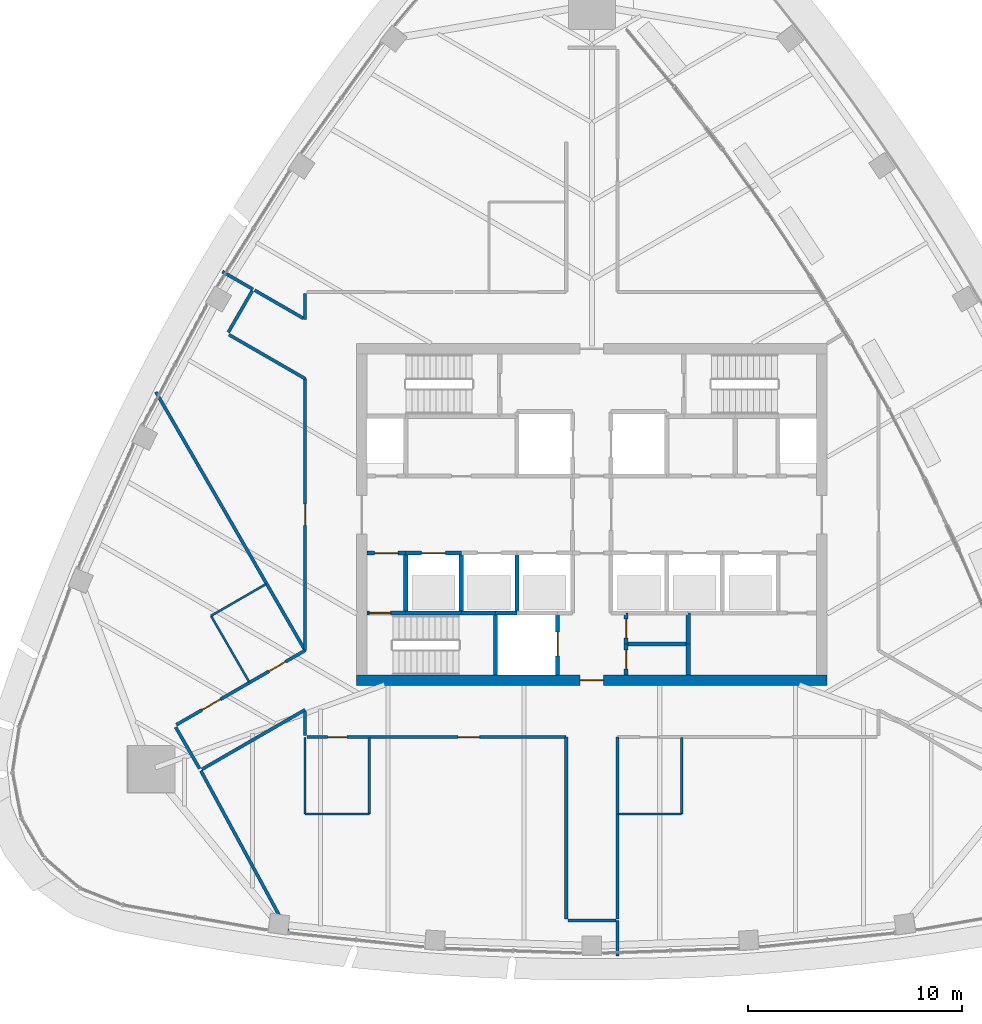
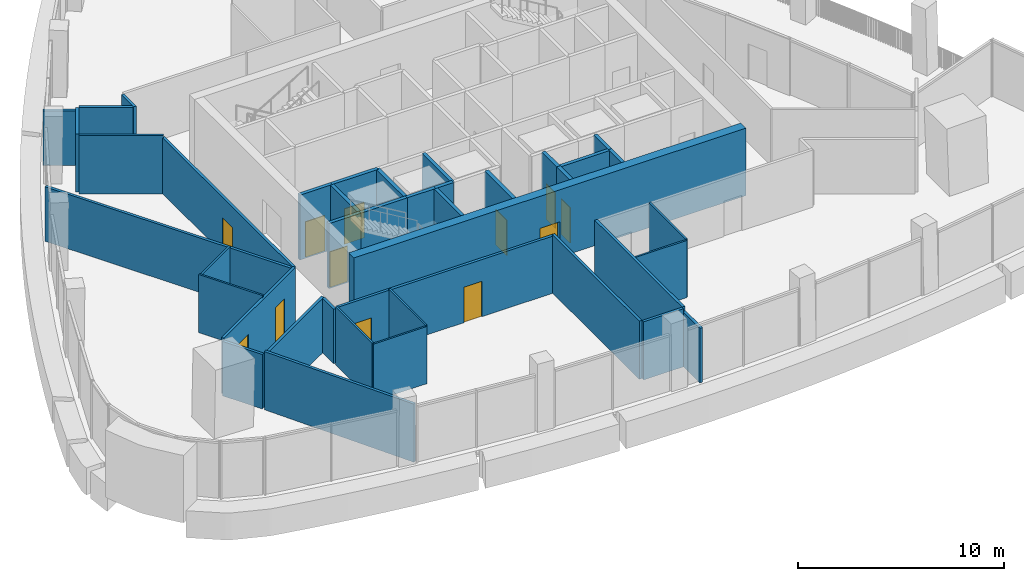
# One storey, part 10 of 18: 41 walls, 12 doors, 12 openings.
"""IFC4 building model written with IfcOpenShell, lengths in metres."""

from ifc_helpers import new_model, si_unit, direction, frame, frame_2d, origin, place, context, subcontext, project, spatial, rectangle, extrude, material, layer, layer_set, type_object, element, fill, save


model = new_model("IFC4")

# Units and contexts
model_context = context("Model", 3, precision=1e-05, world=origin(), true_north=direction((0.0, 1.0)))
body_context = subcontext(model_context, "Body", "Model", "MODEL_VIEW")
ifc_project = project(units=[si_unit("LENGTHUNIT", "METRE"), si_unit("AREAUNIT", "SQUARE_METRE"), si_unit("VOLUMEUNIT", "CUBIC_METRE"), si_unit("PLANEANGLEUNIT", "RADIAN"), si_unit("MASSUNIT", "GRAM", prefix="KILO")], contexts=[model_context])

# Site, building, storey
site_placement = place(None, origin())
site = spatial("IfcSite", under=ifc_project, at=site_placement, CompositionType="ELEMENT")
building_placement = place(site_placement, origin())
building = spatial("IfcBuilding", under=site, at=building_placement, Name="Sierra Prisma Convention Tower", CompositionType="ELEMENT")
storey_placement = place(building_placement, frame((0.0, 0.0, 291.0)))
storey = spatial("IfcBuildingStorey", under=building, at=storey_placement, Name="L66", CompositionType="ELEMENT", Elevation=291.0)

# Walls
ifc_material_1 = material(Name="Gypsum board partition", Category="gypsum")
ifc_layer_1 = layer(ifc_material_1, 0.10009765625)
ifc_layer_set_1 = layer_set([ifc_layer_1], Name="Bathroom partition 100")
wall_type_1 = type_object("IfcWallType", Name="Bathroom partition 100", PredefinedType="PARTITIONING", material=ifc_layer_set_1)
wall_1_placement = place(storey_placement, frame((-16.01318359375, -7.824951171875, 0.0), z_axis=(0.0, 0.0, 1.0), x_axis=(-0.499971082179, 0.866042098853, 0.0)))
element("IfcWall", 1, at=wall_1_placement, inside=storey, type_object=wall_type_1, Name="Partition L66 bath 1", PredefinedType="PARTITIONING", context=body_context, shape_type="SweptSolid", body=[
    extrude(rectangle(XDim=3.570068359375, YDim=0.10009765625, at=frame_2d((1.78515625, 0.0))), origin(), (0.0, 0.0, 1.0), 3.449951171875),
])
wall_2_placement = place(storey_placement, frame((-17.798095703125, -4.733154296875, 0.0), z_axis=(0.0, 0.0, 1.0), x_axis=(0.866039111053, 0.499976257563, 0.0)))
element("IfcWall", 2, at=wall_2_placement, inside=storey, type_object=wall_type_1, Name="Partition L66 bath 2", PredefinedType="PARTITIONING", context=body_context, shape_type="SweptSolid", body=[
    extrude(rectangle(XDim=2.969970703125, YDim=0.10009765625, at=frame_2d((1.48486328125, 0.0))), origin(), (0.0, 0.0, 1.0), 3.31689453125),
])
wall_3_placement = place(storey_placement, frame((-10.39990234375, -10.429931640625, 0.0), z_axis=(0.0, 0.0, 1.0), x_axis=(0.0, -1.0, 0.0)))
element("IfcWall", 3, at=wall_3_placement, inside=storey, type_object=wall_type_1, Name="Partition L66 bath 3", PredefinedType="PARTITIONING", context=body_context, shape_type="SweptSolid", body=[
    extrude(rectangle(XDim=3.570068359375, YDim=0.10009765625, at=frame_2d((1.78515625, 0.0))), origin(), (0.0, 0.0, 1.0), 3.449951171875),
])
wall_4_placement = place(storey_placement, frame((-10.39990234375, -14.0, 0.0), z_axis=(0.0, 0.0, 1.0), x_axis=(-1.0, 0.0, 0.0)))
element("IfcWall", 4, at=wall_4_placement, inside=storey, type_object=wall_type_1, Name="Partition L66 bath 4", PredefinedType="PARTITIONING", context=body_context, shape_type="SweptSolid", body=[
    extrude(rectangle(XDim=3.0, YDim=0.10009765625, at=frame_2d((1.5, 0.0))), origin(), (0.0, 0.0, 1.0), 3.39306640625),
])
for number, where, z_axis, x_axis, name in (
    (5, (-13.39990234375, -14.0, 0.0), (0.0, 0.0, 1.0), (0.0, 1.0, 0.0), "Partition L66 bath 5"),
    (6, (4.199951171875, -10.429931640625, 0.0), (0.0, 0.0, 1.0), (0.0, -1.0, 0.0), "Partition L66 bath 8"),
):
    element("IfcWall", number, at=place(storey_placement, frame(where, z_axis=z_axis, x_axis=x_axis)), inside=storey, type_object=wall_type_1, Name=name, PredefinedType="PARTITIONING", context=body_context, shape_type="SweptSolid", body=[
        extrude(rectangle(XDim=3.570068359375, YDim=0.10009765625, at=frame_2d((1.78515625, 0.0))), origin(), (0.0, 0.0, 1.0), 3.449951171875),
    ])
wall_5_placement = place(storey_placement, frame((4.199951171875, -14.0, 0.0), z_axis=(0.0, 0.0, 1.0), x_axis=(-1.0, 0.0, 0.0)))
element("IfcWall", 7, at=wall_5_placement, inside=storey, type_object=wall_type_1, Name="Partition L66 bath 9", PredefinedType="PARTITIONING", context=body_context, shape_type="SweptSolid", body=[
    extrude(rectangle(XDim=2.969970703125, YDim=0.10009765625, at=frame_2d((1.48486328125, 0.0))), origin(), (0.0, 0.0, 1.0), 3.39306640625),
])

# Wall, opening, door
ifc_material_2 = material(Name="Concrete C30/37", Category="concrete")
ifc_layer_2 = layer(ifc_material_2, 0.199951171875)
ifc_layer_set_2 = layer_set([ifc_layer_2], Name="Core wall RC 200 C30/37")
wall_type_2 = type_object("IfcWallType", Name="Core wall RC 200 C30/37", PredefinedType="SOLIDWALL", material=ifc_layer_set_2)
wall_6_placement = place(storey_placement, frame((-10.5, -4.60009765625, 0.0), z_axis=(0.0, 0.0, 1.0), x_axis=(1.0, 0.0, 0.0)))
wall_6 = element("IfcWall", 8, at=wall_6_placement, inside=storey, type_object=wall_type_2, Name="Core wall L66 1", PredefinedType="SOLIDWALL", context=body_context, shape_type="SweptSolid", body=[
    extrude(rectangle(XDim=1.800048828125, YDim=0.199951171875, at=frame_2d((0.89990234375, 0.0))), origin(), (0.0, 0.0, 1.0), 3.85009765625),
])
opening_1_placement = place(wall_6_placement, frame((0.10009765625, 0.0, 0.0)))
opening_1 = element("IfcOpeningElement", 9, at=opening_1_placement, cuts=wall_6, Name="Opening L66-D020", PredefinedType="OPENING", context=body_context, shape_type="SweptSolid", body=[
    extrude(rectangle(XDim=1.0, YDim=2.10009765625, at=frame_2d((0.5, 1.050048828125))), frame((0.0, 0.10009765625, 0.0), z_axis=(0.0, -1.0, 0.0), x_axis=(1.0, 0.0, 0.0)), (0.0, 0.0, 1.0), 0.199951171875),
])
ifc_material_3 = material(Name="Steel fire door leaf", Category="steel")
door_type_1 = type_object("IfcDoorType", Name="Door 1000x2100 FD90S", OperationType="SINGLE_SWING_LEFT", PredefinedType="DOOR", material=ifc_material_3)
door_1_placement = place(opening_1_placement, origin())
door_1 = element("IfcDoor", 10, at=door_1_placement, inside=storey, type_object=door_type_1, Name="Door L66 28", OperationType="SINGLE_SWING_LEFT", OverallHeight=2.10009765625, OverallWidth=1.0, PredefinedType="DOOR", context=body_context, shape_type="SweptSolid", body=[
    extrude(rectangle(XDim=1.0, YDim=2.10009765625, at=frame_2d((0.5, 1.050048828125))), frame((0.0, 0.02490234375, 0.0), z_axis=(0.0, -1.0, 0.0), x_axis=(1.0, 0.0, 0.0)), (0.0, 0.0, 1.0), 0.050048828125),
])
fill(opening_1, door_1)

wall_7_placement = place(storey_placement, frame((-10.5, -1.800048828125, 0.0), z_axis=(0.0, 0.0, 1.0), x_axis=(1.0, 0.0, 0.0)))
wall_7 = element("IfcWall", 11, at=wall_7_placement, inside=storey, type_object=wall_type_2, Name="Core wall L66 2", PredefinedType="SOLIDWALL", context=body_context, shape_type="SweptSolid", body=[
    extrude(rectangle(XDim=1.800048828125, YDim=0.199951171875, at=frame_2d((0.89990234375, 0.0))), origin(), (0.0, 0.0, 1.0), 3.85009765625),
])
opening_2_placement = place(wall_7_placement, frame((0.35009765625, 0.0, 0.0)))
opening_2 = element("IfcOpeningElement", 12, at=opening_2_placement, cuts=wall_7, Name="Opening L66-D015", PredefinedType="OPENING", context=body_context, shape_type="SweptSolid", body=[
    extrude(rectangle(XDim=1.10009765625, YDim=2.10009765625, at=frame_2d((0.550048828125, 1.050048828125))), frame((0.0, 0.10009765625, 0.0), z_axis=(0.0, -1.0, 0.0), x_axis=(1.0, 0.0, 0.0)), (0.0, 0.0, 1.0), 0.199951171875),
])
ifc_material_4 = material(Name="Steel fire door leaf", Category="steel")
door_type_2 = type_object("IfcDoorType", Name="Door 1100x2100 FD90S", OperationType="SINGLE_SWING_LEFT", PredefinedType="DOOR", material=ifc_material_4)
door_2_placement = place(opening_2_placement, origin())
door_2 = element("IfcDoor", 13, at=door_2_placement, inside=storey, type_object=door_type_2, Name="Door L66 23", OperationType="SINGLE_SWING_LEFT", OverallHeight=2.10009765625, OverallWidth=1.10009765625, PredefinedType="DOOR", context=body_context, shape_type="SweptSolid", body=[
    extrude(rectangle(XDim=1.10009765625, YDim=2.10009765625, at=frame_2d((0.550048828125, 1.050048828125))), frame((0.0, 0.02490234375, 0.0), z_axis=(0.0, -1.0, 0.0), x_axis=(1.0, 0.0, 0.0)), (0.0, 0.0, 1.0), 0.050048828125),
])
fill(opening_2, door_2)

# Walls
wall_8_placement = place(storey_placement, frame((-8.699951171875, -4.60009765625, 0.0), z_axis=(0.0, 0.0, 1.0), x_axis=(1.0, 0.0, 0.0)))
element("IfcWall", 14, at=wall_8_placement, inside=storey, type_object=wall_type_2, Name="Core wall L66 5", PredefinedType="SOLIDWALL", context=body_context, shape_type="SweptSolid", body=[
    extrude(rectangle(XDim=2.599853515625, YDim=0.199951171875, at=frame_2d((1.2998046875, 0.0))), origin(), (0.0, 0.0, 1.0), 3.85009765625),
])
wall_9_placement = place(storey_placement, frame((-8.699951171875, -4.60009765625, 0.0), z_axis=(0.0, 0.0, 1.0), x_axis=(0.0, 1.0, 0.0)))
element("IfcWall", 15, at=wall_9_placement, inside=storey, type_object=wall_type_2, Name="Core wall L66 6", PredefinedType="SOLIDWALL", context=body_context, shape_type="SweptSolid", body=[
    extrude(rectangle(XDim=2.800048828125, YDim=0.199951171875, at=frame_2d((1.39990234375, 0.0))), origin(), (0.0, 0.0, 1.0), 3.85009765625),
])

# Wall, opening, door
wall_10_placement = place(storey_placement, frame((-8.699951171875, -1.800048828125, 0.0), z_axis=(0.0, 0.0, 1.0), x_axis=(1.0, 0.0, 0.0)))
wall_10 = element("IfcWall", 16, at=wall_10_placement, inside=storey, type_object=wall_type_2, Name="Core wall L66 7", PredefinedType="SOLIDWALL", context=body_context, shape_type="SweptSolid", body=[
    extrude(rectangle(XDim=2.599853515625, YDim=0.199951171875, at=frame_2d((1.2998046875, 0.0))), origin(), (0.0, 0.0, 1.0), 3.85009765625),
])
opening_3_placement = place(wall_10_placement, frame((0.75, 0.0, 0.0)))
opening_3 = element("IfcOpeningElement", 17, at=opening_3_placement, cuts=wall_10, Name="Opening L66-D004", PredefinedType="OPENING", context=body_context, shape_type="SweptSolid", body=[
    extrude(rectangle(XDim=1.10009765625, YDim=2.10009765625, at=frame_2d((0.550048828125, 1.050048828125))), frame((0.0, 0.10009765625, 0.0), z_axis=(0.0, -1.0, 0.0), x_axis=(1.0, 0.0, 0.0)), (0.0, 0.0, 1.0), 0.199951171875),
])
ifc_material_5 = material(Name="Steel fire door leaf", Category="steel")
door_type_3 = type_object("IfcDoorType", Name="Door 1100x2100 EI 90 sliding lift landing", OperationType="SLIDING_TO_LEFT", PredefinedType="DOOR", material=ifc_material_5)
door_3_placement = place(opening_3_placement, origin())
door_3 = element("IfcDoor", 18, at=door_3_placement, inside=storey, type_object=door_type_3, Name="Door L66 12", OperationType="SLIDING_TO_LEFT", OverallHeight=2.10009765625, OverallWidth=1.10009765625, PredefinedType="DOOR", context=body_context, shape_type="SweptSolid", body=[
    extrude(rectangle(XDim=1.10009765625, YDim=2.10009765625, at=frame_2d((0.550048828125, 1.050048828125))), frame((0.0, 0.02490234375, 0.0), z_axis=(0.0, -1.0, 0.0), x_axis=(1.0, 0.0, 0.0)), (0.0, 0.0, 1.0), 0.050048828125),
])
fill(opening_3, door_3)

# Walls
wall_11_placement = place(storey_placement, frame((-6.10009765625, -4.60009765625, 0.0), z_axis=(0.0, 0.0, 1.0), x_axis=(1.0, 0.0, 0.0)))
element("IfcWall", 19, at=wall_11_placement, inside=storey, type_object=wall_type_2, Name="Core wall L66 11", PredefinedType="SOLIDWALL", context=body_context, shape_type="SweptSolid", body=[
    extrude(rectangle(XDim=1.60009765625, YDim=0.199951171875, at=frame_2d((0.800048828125, 0.0))), origin(), (0.0, 0.0, 1.0), 3.85009765625),
])
wall_12_placement = place(storey_placement, frame((-6.10009765625, -4.60009765625, 0.0), z_axis=(0.0, 0.0, 1.0), x_axis=(0.0, 1.0, 0.0)))
element("IfcWall", 20, at=wall_12_placement, inside=storey, type_object=wall_type_2, Name="Core wall L66 12", PredefinedType="SOLIDWALL", context=body_context, shape_type="SweptSolid", body=[
    extrude(rectangle(XDim=2.800048828125, YDim=0.199951171875, at=frame_2d((1.39990234375, 0.0))), origin(), (0.0, 0.0, 1.0), 3.85009765625),
])
wall_13_placement = place(storey_placement, frame((-4.5, -4.60009765625, 0.0), z_axis=(0.0, 0.0, 1.0), x_axis=(0.0, -1.0, 0.0)))
element("IfcWall", 21, at=wall_13_placement, inside=storey, type_object=wall_type_2, Name="Core wall L66 14", PredefinedType="SOLIDWALL", context=body_context, shape_type="SweptSolid", body=[
    extrude(rectangle(XDim=2.89990234375, YDim=0.199951171875, at=frame_2d((1.449951171875, 0.0))), origin(), (0.0, 0.0, 1.0), 3.85009765625),
])
wall_14_placement = place(storey_placement, frame((-4.5, -4.60009765625, 0.0), z_axis=(0.0, 0.0, 1.0), x_axis=(1.0, 0.0, 0.0)))
element("IfcWall", 22, at=wall_14_placement, inside=storey, type_object=wall_type_2, Name="Core wall L66 15", PredefinedType="SOLIDWALL", context=body_context, shape_type="SweptSolid", body=[
    extrude(rectangle(XDim=1.0, YDim=0.199951171875, at=frame_2d((0.5, 0.0))), origin(), (0.0, 0.0, 1.0), 3.85009765625),
])
wall_15_placement = place(storey_placement, frame((-3.5, -4.60009765625, 0.0), z_axis=(0.0, 0.0, 1.0), x_axis=(0.0, 1.0, 0.0)))
element("IfcWall", 23, at=wall_15_placement, inside=storey, type_object=wall_type_2, Name="Core wall L66 19", PredefinedType="SOLIDWALL", context=body_context, shape_type="SweptSolid", body=[
    extrude(rectangle(XDim=2.800048828125, YDim=0.199951171875, at=frame_2d((1.39990234375, 0.0))), origin(), (0.0, 0.0, 1.0), 3.85009765625),
])

# Wall, opening, door
wall_16_placement = place(storey_placement, frame((-1.60009765625, -7.5, 0.0), z_axis=(0.0, 0.0, 1.0), x_axis=(0.0, 1.0, 0.0)))
wall_16 = element("IfcWall", 24, at=wall_16_placement, inside=storey, type_object=wall_type_2, Name="Core wall L66 26", PredefinedType="SOLIDWALL", context=body_context, shape_type="SweptSolid", body=[
    extrude(rectangle(XDim=2.89990234375, YDim=0.199951171875, at=frame_2d((1.449951171875, 0.0))), origin(), (0.0, 0.0, 1.0), 3.85009765625),
])
opening_4_placement = place(wall_16_placement, frame((0.89990234375, 0.0, 0.0)))
opening_4 = element("IfcOpeningElement", 25, at=opening_4_placement, cuts=wall_16, Name="Opening L66-D012", PredefinedType="OPENING", context=body_context, shape_type="SweptSolid", body=[
    extrude(rectangle(XDim=1.10009765625, YDim=2.10009765625, at=frame_2d((0.550048828125, 1.050048828125))), frame((0.0, 0.10009765625, 0.0), z_axis=(0.0, -1.0, 0.0), x_axis=(1.0, 0.0, 0.0)), (0.0, 0.0, 1.0), 0.199951171875),
])
door_4_placement = place(opening_4_placement, origin())
door_4 = element("IfcDoor", 26, at=door_4_placement, inside=storey, type_object=door_type_3, Name="Door L66 20", OperationType="SLIDING_TO_RIGHT", OverallHeight=2.10009765625, OverallWidth=1.10009765625, PredefinedType="DOOR", context=body_context, shape_type="SweptSolid", body=[
    extrude(rectangle(XDim=1.10009765625, YDim=2.10009765625, at=frame_2d((0.550048828125, 1.050048828125))), frame((0.0, 0.02490234375, 0.0), z_axis=(0.0, -1.0, 0.0), x_axis=(1.0, 0.0, 0.0)), (0.0, 0.0, 1.0), 0.050048828125),
])
fill(opening_4, door_4)

wall_17_placement = place(storey_placement, frame((1.60009765625, -6.050048828125, 0.0), z_axis=(0.0, 0.0, 1.0), x_axis=(0.0, -1.0, 0.0)))
wall_17 = element("IfcWall", 27, at=wall_17_placement, inside=storey, type_object=wall_type_2, Name="Core wall L66 40", PredefinedType="SOLIDWALL", context=body_context, shape_type="SweptSolid", body=[
    extrude(rectangle(XDim=1.449951171875, YDim=0.199951171875, at=frame_2d((0.72509765625, 0.0))), origin(), (0.0, 0.0, 1.0), 3.85009765625),
])
opening_5_placement = place(wall_17_placement, frame((0.27490234375, 0.0, 0.0)))
opening_5 = element("IfcOpeningElement", 28, at=opening_5_placement, cuts=wall_17, Name="Opening L66-D028", PredefinedType="OPENING", context=body_context, shape_type="SweptSolid", body=[
    extrude(rectangle(XDim=0.89990234375, YDim=2.10009765625, at=frame_2d((0.449951171875, 1.050048828125))), frame((0.0, 0.10009765625, 0.0), z_axis=(0.0, -1.0, 0.0), x_axis=(1.0, 0.0, 0.0)), (0.0, 0.0, 1.0), 0.199951171875),
])
ifc_material_6 = material(Name="Steel fire door leaf", Category="steel")
door_type_4 = type_object("IfcDoorType", Name="Door 900x2100 FD30S", OperationType="SINGLE_SWING_LEFT", PredefinedType="DOOR", material=ifc_material_6)
door_5_placement = place(opening_5_placement, origin())
door_5 = element("IfcDoor", 29, at=door_5_placement, inside=storey, type_object=door_type_4, Name="Door L66 36", OperationType="SINGLE_SWING_LEFT", OverallHeight=2.10009765625, OverallWidth=0.89990234375, PredefinedType="DOOR", context=body_context, shape_type="SweptSolid", body=[
    extrude(rectangle(XDim=0.89990234375, YDim=2.10009765625, at=frame_2d((0.449951171875, 1.050048828125))), frame((0.0, 0.02490234375, 0.0), z_axis=(0.0, -1.0, 0.0), x_axis=(1.0, 0.0, 0.0)), (0.0, 0.0, 1.0), 0.050048828125),
])
fill(opening_5, door_5)

# Wall
wall_18_placement = place(storey_placement, frame((4.5, -6.050048828125, 0.0), z_axis=(0.0, 0.0, 1.0), x_axis=(-1.0, 0.0, 0.0)))
element("IfcWall", 30, at=wall_18_placement, inside=storey, type_object=wall_type_2, Name="Core wall L66 41", PredefinedType="SOLIDWALL", context=body_context, shape_type="SweptSolid", body=[
    extrude(rectangle(XDim=2.89990234375, YDim=0.199951171875, at=frame_2d((1.449951171875, 0.0))), origin(), (0.0, 0.0, 1.0), 3.85009765625),
])

# Wall, opening, door
wall_19_placement = place(storey_placement, frame((1.60009765625, -4.60009765625, 0.0), z_axis=(0.0, 0.0, 1.0), x_axis=(0.0, -1.0, 0.0)))
wall_19 = element("IfcWall", 31, at=wall_19_placement, inside=storey, type_object=wall_type_2, Name="Core wall L66 42", PredefinedType="SOLIDWALL", context=body_context, shape_type="SweptSolid", body=[
    extrude(rectangle(XDim=1.449951171875, YDim=0.199951171875, at=frame_2d((0.72509765625, 0.0))), origin(), (0.0, 0.0, 1.0), 3.85009765625),
])
opening_6_placement = place(wall_19_placement, frame((0.27490234375, 0.0, 0.0)))
opening_6 = element("IfcOpeningElement", 32, at=opening_6_placement, cuts=wall_19, Name="Opening L66-D029", PredefinedType="OPENING", context=body_context, shape_type="SweptSolid", body=[
    extrude(rectangle(XDim=0.89990234375, YDim=2.10009765625, at=frame_2d((0.449951171875, 1.050048828125))), frame((0.0, 0.10009765625, 0.0), z_axis=(0.0, -1.0, 0.0), x_axis=(1.0, 0.0, 0.0)), (0.0, 0.0, 1.0), 0.199951171875),
])
door_6_placement = place(opening_6_placement, origin())
door_6 = element("IfcDoor", 33, at=door_6_placement, inside=storey, type_object=door_type_4, Name="Door L66 37", OperationType="SINGLE_SWING_LEFT", OverallHeight=2.10009765625, OverallWidth=0.89990234375, PredefinedType="DOOR", context=body_context, shape_type="SweptSolid", body=[
    extrude(rectangle(XDim=0.89990234375, YDim=2.10009765625, at=frame_2d((0.449951171875, 1.050048828125))), frame((0.0, 0.02490234375, 0.0), z_axis=(0.0, -1.0, 0.0), x_axis=(1.0, 0.0, 0.0)), (0.0, 0.0, 1.0), 0.050048828125),
])
fill(opening_6, door_6)

# Walls
for number, where, z_axis, x_axis, name in (
    (34, (4.5, -6.050048828125, 0.0), (0.0, 0.0, 1.0), (0.0, -1.0, 0.0), "Core wall L66 52"),
    (35, (4.5, -4.60009765625, 0.0), (0.0, 0.0, 1.0), (0.0, -1.0, 0.0), "Core wall L66 53"),
):
    element("IfcWall", number, at=place(storey_placement, frame(where, z_axis=z_axis, x_axis=x_axis)), inside=storey, type_object=wall_type_2, Name=name, PredefinedType="SOLIDWALL", context=body_context, shape_type="SweptSolid", body=[
        extrude(rectangle(XDim=1.449951171875, YDim=0.199951171875, at=frame_2d((0.72509765625, 0.0))), origin(), (0.0, 0.0, 1.0), 3.85009765625),
    ])

# Wall, opening, door
ifc_material_7 = material(Name="Concrete C50/60", Category="concrete")
ifc_layer_3 = layer(ifc_material_7, 0.5)
ifc_layer_set_3 = layer_set([ifc_layer_3], Name="Core wall RC 500 C50/60")
wall_type_3 = type_object("IfcWallType", Name="Core wall RC 500 C50/60", PredefinedType="SHEAR", material=ifc_layer_set_3)
wall_20_placement = place(storey_placement, frame((-11.0, -7.75, 0.0), z_axis=(0.0, 0.0, 1.0), x_axis=(1.0, 0.0, 0.0)))
wall_20 = element("IfcWall", 36, at=wall_20_placement, inside=storey, type_object=wall_type_3, Name="Core wall S L66", PredefinedType="SHEAR", context=body_context, shape_type="SweptSolid", body=[
    extrude(rectangle(XDim=22.0, YDim=0.5, at=frame_2d((11.0, 0.0))), origin(), (0.0, 0.0, 1.0), 4.0),
])
opening_7_placement = place(wall_20_placement, frame((10.449951171875, 0.0, 0.0)))
opening_7 = element("IfcOpeningElement", 37, at=opening_7_placement, cuts=wall_20, Name="Opening L66-D043", PredefinedType="OPENING", context=body_context, shape_type="SweptSolid", body=[
    extrude(rectangle(XDim=1.10009765625, YDim=2.10009765625, at=frame_2d((0.550048828125, 1.050048828125))), frame((0.0, 0.25, 0.0), z_axis=(0.0, -1.0, 0.0), x_axis=(1.0, 0.0, 0.0)), (0.0, 0.0, 1.0), 0.5),
])
ifc_material_8 = material(Name="Steel fire door leaf", Category="steel")
door_type_5 = type_object("IfcDoorType", Name="Door 1100x2100 FD30S", OperationType="SINGLE_SWING_LEFT", PredefinedType="DOOR", material=ifc_material_8)
door_7_placement = place(opening_7_placement, origin())
door_7 = element("IfcDoor", 38, at=door_7_placement, inside=storey, type_object=door_type_5, Name="Door L66 41", OperationType="SINGLE_SWING_RIGHT", OverallHeight=2.10009765625, OverallWidth=1.10009765625, PredefinedType="DOOR", context=body_context, shape_type="SweptSolid", body=[
    extrude(rectangle(XDim=1.10009765625, YDim=2.10009765625, at=frame_2d((0.550048828125, 1.050048828125))), frame((0.0, 0.02490234375, 0.0), z_axis=(0.0, -1.0, 0.0), x_axis=(1.0, 0.0, 0.0)), (0.0, 0.0, 1.0), 0.050048828125),
])
fill(opening_7, door_7)

# Wall
ifc_material_9 = material(Name="Gypsum board partition", Category="gypsum")
ifc_layer_4 = layer(ifc_material_9, 0.14990234375)
ifc_layer_set_4 = layer_set([ifc_layer_4], Name="Corridor wall 150 gypsum EI 60")
wall_type_4 = type_object("IfcWallType", Name="Corridor wall 150 gypsum EI 60", PredefinedType="PARTITIONING", material=ifc_layer_set_4)
wall_21_placement = place(storey_placement, frame((-19.4501953125, -9.936279296875, 0.0), z_axis=(0.0, 0.0, 1.0), x_axis=(0.500030632641, -0.866007717299, 0.0)))
element("IfcWall", 39, at=wall_21_placement, inside=storey, type_object=wall_type_4, Name="Partition L66 corr 1", PredefinedType="PARTITIONING", context=body_context, shape_type="SweptSolid", body=[
    extrude(rectangle(XDim=2.239990234375, YDim=0.14990234375, at=frame_2d((1.1201171875, 0.0))), origin(), (0.0, 0.0, 1.0), 3.23291015625),
])

# Wall, openings, doors
wall_22_placement = place(storey_placement, frame((-13.39990234375, -6.350830078125, 0.0), z_axis=(0.0, 0.0, 1.0), x_axis=(-0.8660347147, -0.499983872674, 0.0)))
wall_22 = element("IfcWall", 40, at=wall_22_placement, inside=storey, type_object=wall_type_4, Name="Partition L66 corr 2", PredefinedType="PARTITIONING", context=body_context, shape_type="SweptSolid", body=[
    extrude(rectangle(XDim=6.952392578125, YDim=0.14990234375, at=frame_2d((3.47607421875, 0.0))), origin(), (0.0, 0.0, 1.0), 3.31689453125),
])
opening_8_placement = place(wall_22_placement, frame((1.050048828125, 0.0, 0.0)))
opening_8 = element("IfcOpeningElement", 41, at=opening_8_placement, cuts=wall_22, Name="Opening L66-D034", PredefinedType="OPENING", context=body_context, shape_type="SweptSolid", body=[
    extrude(rectangle(XDim=0.89990234375, YDim=2.10009765625, at=frame_2d((0.449951171875, 1.050048828125))), frame((0.0, 0.074951171875, 0.0), z_axis=(0.0, -1.0, 0.0), x_axis=(1.0, 0.0, 0.0)), (0.0, 0.0, 1.0), 0.14990234375),
])
opening_9_placement = place(wall_22_placement, frame((4.566162109375, 0.0, 0.0)))
opening_9 = element("IfcOpeningElement", 42, at=opening_9_placement, cuts=wall_22, Name="Opening L66-D035", PredefinedType="OPENING", context=body_context, shape_type="SweptSolid", body=[
    extrude(rectangle(XDim=1.0, YDim=2.10009765625, at=frame_2d((0.5, 1.050048828125))), frame((0.0, 0.074951171875, 0.0), z_axis=(0.0, -1.0, 0.0), x_axis=(1.0, 0.0, 0.0)), (0.0, 0.0, 1.0), 0.14990234375),
])
ifc_material_10 = material(Name="Steel fire door leaf", Category="steel")
door_type_6 = type_object("IfcDoorType", Name="Door 1000x2100 FD30S", OperationType="SINGLE_SWING_LEFT", PredefinedType="DOOR", material=ifc_material_10)
door_8_placement = place(opening_9_placement, origin())
door_8 = element("IfcDoor", 43, at=door_8_placement, inside=storey, type_object=door_type_6, Name="Door L66 6", OperationType="SINGLE_SWING_LEFT", OverallHeight=2.10009765625, OverallWidth=1.0, PredefinedType="DOOR", context=body_context, shape_type="SweptSolid", body=[
    extrude(rectangle(XDim=1.0, YDim=2.10009765625, at=frame_2d((0.5, 1.050048828125))), frame((0.0, 0.02490234375, 0.0), z_axis=(0.0, -1.0, 0.0), x_axis=(1.0, 0.0, 0.0)), (0.0, 0.0, 1.0), 0.050048828125),
])
fill(opening_9, door_8)
door_9_placement = place(opening_8_placement, origin())
door_9 = element("IfcDoor", 44, at=door_9_placement, inside=storey, type_object=door_type_4, Name="Door L66 5", OperationType="SINGLE_SWING_RIGHT", OverallHeight=2.10009765625, OverallWidth=0.89990234375, PredefinedType="DOOR", context=body_context, shape_type="SweptSolid", body=[
    extrude(rectangle(XDim=0.89990234375, YDim=2.10009765625, at=frame_2d((0.449951171875, 1.050048828125))), frame((0.0, 0.02490234375, 0.0), z_axis=(0.0, -1.0, 0.0), x_axis=(1.0, 0.0, 0.0)), (0.0, 0.0, 1.0), 0.050048828125),
])
fill(opening_8, door_9)

# Walls
wall_23_placement = place(storey_placement, frame((-18.220703125, -11.905517578125, 0.0), z_axis=(0.0, 0.0, 1.0), x_axis=(0.866013219245, 0.500021103647, 0.0)))
element("IfcWall", 45, at=wall_23_placement, inside=storey, type_object=wall_type_4, Name="Partition L66 corr 3", PredefinedType="PARTITIONING", context=body_context, shape_type="SweptSolid", body=[
    extrude(rectangle(XDim=5.566650390625, YDim=0.14990234375, at=frame_2d((2.783203125, 0.0))), origin(), (0.0, 0.0, 1.0), 3.23291015625),
])
wall_24_placement = place(storey_placement, frame((-13.39990234375, -9.213623046875, 0.0), z_axis=(0.0, 0.0, 1.0), x_axis=(0.0, -1.0, 0.0)))
element("IfcWall", 46, at=wall_24_placement, inside=storey, type_object=wall_type_4, Name="Partition L66 corr 4", PredefinedType="PARTITIONING", context=body_context, shape_type="SweptSolid", body=[
    extrude(rectangle(XDim=1.1064453125, YDim=0.14990234375, at=frame_2d((0.55322265625, 0.0))), origin(), (0.0, 0.0, 1.0), 3.23291015625),
])
wall_25_placement = place(storey_placement, frame((-15.870849609375, 10.456298828125, 0.0), z_axis=(0.0, 0.0, 1.0), x_axis=(-0.500077830873, -0.865980463445, 0.0)))
element("IfcWall", 47, at=wall_25_placement, inside=storey, type_object=wall_type_4, Name="Partition L66 corr 5", PredefinedType="PARTITIONING", context=body_context, shape_type="SweptSolid", body=[
    extrude(rectangle(XDim=2.239990234375, YDim=0.14990234375, at=frame_2d((1.1201171875, 0.0))), origin(), (0.0, 0.0, 1.0), 3.449951171875),
])
wall_26_placement = place(storey_placement, frame((-16.961669921875, 8.4072265625, 0.0), z_axis=(0.0, 0.0, 1.0), x_axis=(0.866024454709, -0.500001643842, 0.0)))
element("IfcWall", 48, at=wall_26_placement, inside=storey, type_object=wall_type_4, Name="Partition L66 corr 6", PredefinedType="PARTITIONING", context=body_context, shape_type="SweptSolid", body=[
    extrude(rectangle(XDim=4.11279296875, YDim=0.14990234375, at=frame_2d((2.056396484375, 0.0))), origin(), (0.0, 0.0, 1.0), 3.449951171875),
])

# Wall, opening, door
wall_27_placement = place(storey_placement, frame((-13.39990234375, 6.350830078125, 0.0), z_axis=(0.0, 0.0, 1.0), x_axis=(0.0, -1.0, 0.0)))
wall_27 = element("IfcWall", 49, at=wall_27_placement, inside=storey, type_object=wall_type_4, Name="Partition L66 corr 7", PredefinedType="PARTITIONING", context=body_context, shape_type="SweptSolid", body=[
    extrude(rectangle(XDim=12.70166015625, YDim=0.14990234375, at=frame_2d((6.350830078125, 0.0))), origin(), (0.0, 0.0, 1.0), 3.31689453125),
])
opening_10_placement = place(wall_27_placement, frame((5.850830078125, 0.0, 0.0)))
opening_10 = element("IfcOpeningElement", 50, at=opening_10_placement, cuts=wall_27, Name="Opening L66-D033", PredefinedType="OPENING", context=body_context, shape_type="SweptSolid", body=[
    extrude(rectangle(XDim=1.0, YDim=2.10009765625, at=frame_2d((0.5, 1.050048828125))), frame((0.0, 0.074951171875, 0.0), z_axis=(0.0, -1.0, 0.0), x_axis=(1.0, 0.0, 0.0)), (0.0, 0.0, 1.0), 0.14990234375),
])
door_10_placement = place(opening_10_placement, origin())
door_10 = element("IfcDoor", 51, at=door_10_placement, inside=storey, type_object=door_type_6, Name="Door L66 4", OperationType="SINGLE_SWING_LEFT", OverallHeight=2.10009765625, OverallWidth=1.0, PredefinedType="DOOR", context=body_context, shape_type="SweptSolid", body=[
    extrude(rectangle(XDim=1.0, YDim=2.10009765625, at=frame_2d((0.5, 1.050048828125))), frame((0.0, 0.02490234375, 0.0), z_axis=(0.0, -1.0, 0.0), x_axis=(1.0, 0.0, 0.0)), (0.0, 0.0, 1.0), 0.050048828125),
])
fill(opening_10, door_10)

# Walls
wall_28_placement = place(storey_placement, frame((-13.39990234375, 10.320068359375, 0.0), z_axis=(0.0, 0.0, 1.0), x_axis=(0.0, -1.0, 0.0)))
element("IfcWall", 52, at=wall_28_placement, inside=storey, type_object=wall_type_4, Name="Partition L66 corr 8", PredefinedType="PARTITIONING", context=body_context, shape_type="SweptSolid", body=[
    extrude(rectangle(XDim=1.197998046875, YDim=0.14990234375, at=frame_2d((0.59912109375, 0.0))), origin(), (0.0, 0.0, 1.0), 3.449951171875),
])
wall_29_placement = place(storey_placement, frame((-13.479248046875, 9.16796875, 0.0), z_axis=(0.0, 0.0, 1.0), x_axis=(-0.866051382108, 0.499955001523, 0.0)))
element("IfcWall", 53, at=wall_29_placement, inside=storey, type_object=wall_type_4, Name="Partition L66 corr 9", PredefinedType="PARTITIONING", context=body_context, shape_type="SweptSolid", body=[
    extrude(rectangle(XDim=2.635498046875, YDim=0.14990234375, at=frame_2d((1.31787109375, 0.0))), origin(), (0.0, 0.0, 1.0), 3.449951171875),
])

# Wall, openings, doors
wall_30_placement = place(storey_placement, frame((-13.320068359375, -10.39990234375, 0.0), z_axis=(0.0, 0.0, 1.0), x_axis=(1.0, 0.0, 0.0)))
wall_30 = element("IfcWall", 54, at=wall_30_placement, inside=storey, type_object=wall_type_4, Name="Partition L66 corr 10", PredefinedType="PARTITIONING", context=body_context, shape_type="SweptSolid", body=[
    extrude(rectangle(XDim=12.1201171875, YDim=0.14990234375, at=frame_2d((6.06005859375, 0.0))), origin(), (0.0, 0.0, 1.0), 3.39306640625),
])
opening_11_placement = place(wall_30_placement, frame((0.969970703125, 0.0, 0.0)))
opening_11 = element("IfcOpeningElement", 55, at=opening_11_placement, cuts=wall_30, Name="Opening L66-D036", PredefinedType="OPENING", context=body_context, shape_type="SweptSolid", body=[
    extrude(rectangle(XDim=0.89990234375, YDim=2.10009765625, at=frame_2d((0.449951171875, 1.050048828125))), frame((0.0, 0.074951171875, 0.0), z_axis=(0.0, -1.0, 0.0), x_axis=(1.0, 0.0, 0.0)), (0.0, 0.0, 1.0), 0.14990234375),
])
opening_12_placement = place(wall_30_placement, frame((7.070068359375, 0.0, 0.0)))
opening_12 = element("IfcOpeningElement", 56, at=opening_12_placement, cuts=wall_30, Name="Opening L66-D037", PredefinedType="OPENING", context=body_context, shape_type="SweptSolid", body=[
    extrude(rectangle(XDim=1.0, YDim=2.10009765625, at=frame_2d((0.5, 1.050048828125))), frame((0.0, 0.074951171875, 0.0), z_axis=(0.0, -1.0, 0.0), x_axis=(1.0, 0.0, 0.0)), (0.0, 0.0, 1.0), 0.14990234375),
])
door_11_placement = place(opening_12_placement, origin())
door_11 = element("IfcDoor", 57, at=door_11_placement, inside=storey, type_object=door_type_6, Name="Door L66 8", OperationType="SINGLE_SWING_LEFT", OverallHeight=2.10009765625, OverallWidth=1.0, PredefinedType="DOOR", context=body_context, shape_type="SweptSolid", body=[
    extrude(rectangle(XDim=1.0, YDim=2.10009765625, at=frame_2d((0.5, 1.050048828125))), frame((0.0, 0.02490234375, 0.0), z_axis=(0.0, -1.0, 0.0), x_axis=(1.0, 0.0, 0.0)), (0.0, 0.0, 1.0), 0.050048828125),
])
fill(opening_12, door_11)
door_12_placement = place(opening_11_placement, origin())
door_12 = element("IfcDoor", 58, at=door_12_placement, inside=storey, type_object=door_type_4, Name="Door L66 7", OperationType="SINGLE_SWING_LEFT", OverallHeight=2.10009765625, OverallWidth=0.89990234375, PredefinedType="DOOR", context=body_context, shape_type="SweptSolid", body=[
    extrude(rectangle(XDim=0.89990234375, YDim=2.10009765625, at=frame_2d((0.449951171875, 1.050048828125))), frame((0.0, 0.02490234375, 0.0), z_axis=(0.0, -1.0, 0.0), x_axis=(1.0, 0.0, 0.0)), (0.0, 0.0, 1.0), 0.050048828125),
])
fill(opening_11, door_12)

# Walls
wall_31_placement = place(storey_placement, frame((-1.199951171875, -10.39990234375, 0.0), z_axis=(0.0, 0.0, 1.0), x_axis=(0.0, -1.0, 0.0)))
element("IfcWall", 59, at=wall_31_placement, inside=storey, type_object=wall_type_4, Name="Partition L66 corr 11", PredefinedType="PARTITIONING", context=body_context, shape_type="SweptSolid", body=[
    extrude(rectangle(XDim=8.492919921875, YDim=0.14990234375, at=frame_2d((4.24658203125, 0.0))), origin(), (0.0, 0.0, 1.0), 3.449951171875),
])
wall_32_placement = place(storey_placement, frame((-1.1201171875, -18.972900390625, 0.0), z_axis=(0.0, 0.0, 1.0), x_axis=(1.0, 0.0, 0.0)))
element("IfcWall", 60, at=wall_32_placement, inside=storey, type_object=wall_type_4, Name="Partition L66 corr 15", PredefinedType="PARTITIONING", context=body_context, shape_type="SweptSolid", body=[
    extrude(rectangle(XDim=2.240234375, YDim=0.14990234375, at=frame_2d((1.1201171875, 0.0))), origin(), (0.0, 0.0, 1.0), 3.449951171875),
])
wall_33_placement = place(storey_placement, frame((1.199951171875, -18.892822265625, 0.0), z_axis=(0.0, 0.0, 1.0), x_axis=(0.0, 1.0, 0.0)))
element("IfcWall", 61, at=wall_33_placement, inside=storey, type_object=wall_type_4, Name="Partition L66 corr 17", PredefinedType="PARTITIONING", context=body_context, shape_type="SweptSolid", body=[
    extrude(rectangle(XDim=8.492919921875, YDim=0.14990234375, at=frame_2d((4.24658203125, 0.0))), origin(), (0.0, 0.0, 1.0), 3.449951171875),
])
ifc_material_11 = material(Name="Gypsum board partition", Category="gypsum")
ifc_layer_5 = layer(ifc_material_11, 0.14990234375)
ifc_layer_set_5 = layer_set([ifc_layer_5], Name="Party wall 150 gypsum")
wall_type_5 = type_object("IfcWallType", Name="Party wall 150 gypsum", PredefinedType="PARTITIONING", material=ifc_layer_set_5)
wall_34_placement = place(storey_placement, frame((-13.39990234375, -6.350830078125, 0.0), z_axis=(0.0, 0.0, 1.0), x_axis=(-0.500000781663, 0.866024952491, 0.0)))
element("IfcWall", 62, at=wall_34_placement, inside=storey, type_object=wall_type_5, Name="Partition L66 party 1", PredefinedType="PARTITIONING", context=body_context, shape_type="SweptSolid", body=[
    extrude(rectangle(XDim=13.94580078125, YDim=0.14990234375, at=frame_2d((6.972900390625, 0.0))), origin(), (0.0, 0.0, 1.0), 3.23388671875),
])
wall_35_placement = place(storey_placement, frame((-18.2744140625, -11.972900390625, 0.0), z_axis=(0.0, 0.0, 1.0), x_axis=(0.476644065294, -0.879096374137, 0.0)))
element("IfcWall", 63, at=wall_35_placement, inside=storey, type_object=wall_type_5, Name="Partition L66 party 2", PredefinedType="PARTITIONING", context=body_context, shape_type="SweptSolid", body=[
    extrude(rectangle(XDim=8.51953125, YDim=0.14990234375, at=frame_2d((4.259765625, 0.0))), origin(), (0.0, 0.0, 1.0), 3.449951171875),
])
wall_36_placement = place(storey_placement, frame((-15.830810546875, 10.525634765625, 0.0), z_axis=(0.0, 0.0, 1.0), x_axis=(-0.86604809764, 0.499960691028, 0.0)))
element("IfcWall", 64, at=wall_36_placement, inside=storey, type_object=wall_type_5, Name="Partition L66 party 3", PredefinedType="PARTITIONING", context=body_context, shape_type="SweptSolid", body=[
    extrude(rectangle(XDim=1.656005859375, YDim=0.14990234375, at=frame_2d((0.828125, 0.0))), origin(), (0.0, 0.0, 1.0), 3.23388671875),
])
wall_37_placement = place(storey_placement, frame((1.199951171875, -18.972900390625, 0.0), z_axis=(0.0, 0.0, 1.0), x_axis=(0.0, -1.0, 0.0)))
element("IfcWall", 65, at=wall_37_placement, inside=storey, type_object=wall_type_5, Name="Partition L66 party 4", PredefinedType="PARTITIONING", context=body_context, shape_type="SweptSolid", body=[
    extrude(rectangle(XDim=1.655517578125, YDim=0.14990234375, at=frame_2d((0.82763671875, 0.0))), origin(), (0.0, 0.0, 1.0), 3.23388671875),
])

save(model, "model.ifc")
